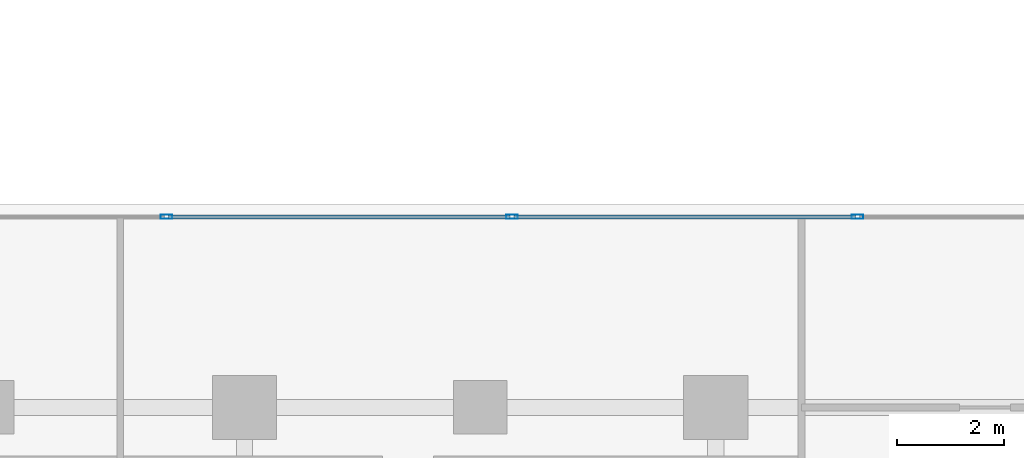
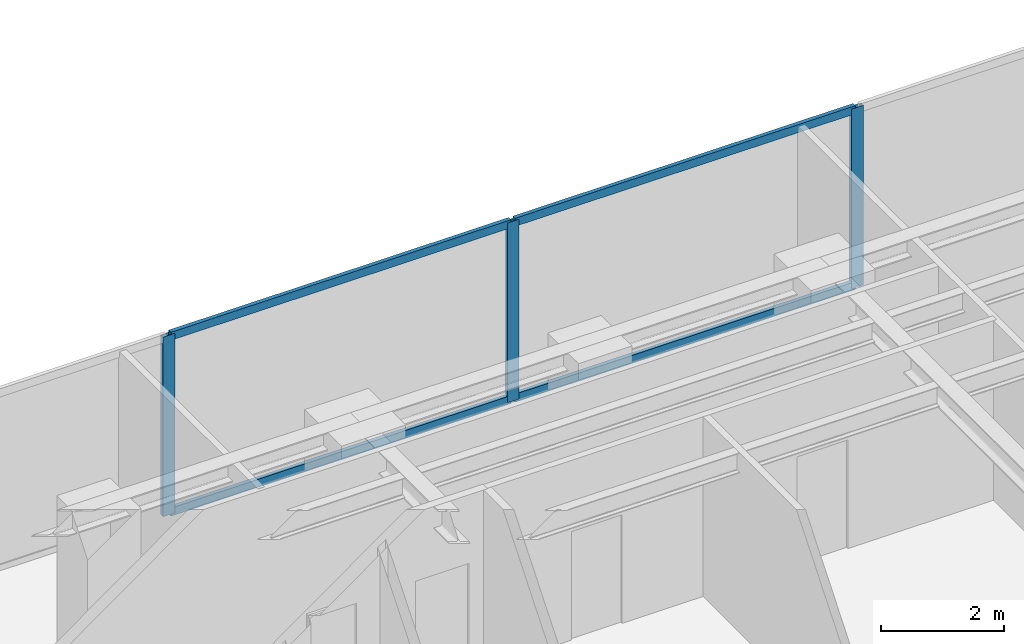
# One storey, part 14 of 28: 7 members, 1 element without a shape of its own.
"""IFC4 building model written with IfcOpenShell, lengths in metres."""

from ifc_helpers import new_model, si_unit, direction, frame, origin, origin_with_axes, origin_2d, place, context, subcontext, project, spatial, hollow_rectangle, extrude, source, transform, mapped, material, layer, layer_set, material_profile, profile_set, type_object, element, aggregate, save


model = new_model("IFC4")

# Units and contexts
model_context = context("Model", 3, precision=1e-05, world=origin(), true_north=direction((0.0, 1.0)))
body_context = subcontext(model_context, "Body", "Model", "MODEL_VIEW")
ifc_project = project(units=[si_unit("LENGTHUNIT", "METRE"), si_unit("AREAUNIT", "SQUARE_METRE"), si_unit("VOLUMEUNIT", "CUBIC_METRE"), si_unit("PLANEANGLEUNIT", "RADIAN"), si_unit("MASSUNIT", "GRAM", prefix="KILO")], contexts=[model_context])

# Site, building, storey
site_placement = place(None, origin())
site = spatial("IfcSite", under=ifc_project, at=site_placement, CompositionType="ELEMENT")
building_placement = place(site_placement, origin())
building = spatial("IfcBuilding", under=site, at=building_placement, Name="Kolvaren Waterfront Exchange", CompositionType="ELEMENT")
storey_placement = place(building_placement, frame((0.0, 0.0, 146.199951171875)))
storey = spatial("IfcBuildingStorey", under=building, at=storey_placement, Name="L37", CompositionType="ELEMENT", Elevation=146.199951171875)

# Curtain wall, members
ifc_material_1 = material(Name="Anodised bronze aluminium 6063-T6", Category="aluminium")
ifc_layer = layer(ifc_material_1, 0.219970703125, Name="Anodised bronze aluminium 6063-T6")
ifc_layer_set = layer_set([ifc_layer], Name="Anodised bronze aluminium 6063-T6")
curtain_wall_type = type_object("IfcCurtainWallType", Name="ARC-CW-SYS1", PredefinedType="USERDEFINED", material=ifc_layer_set)
curtain_wall_placement = place(storey_placement, origin())
curtain_wall = element("IfcCurtainWall", 1, at=curtain_wall_placement, inside=storey, type_object=curtain_wall_type, Name="L37 stick curtain wall CW1 (CW-L37-EN)", ObjectType="STICK CURTAIN WALL", PredefinedType="USERDEFINED")
ifc_material_2 = material(Name="Anodised aluminium 6063-T6", Category="aluminium")
ifc_material_profile_1 = material_profile(ifc_material_2, hollow_rectangle(XDim=0.080078125, YDim=0.219970703125, WallThickness=0.0048828125, at=origin_2d()), Name="ALU-MUL-220x80x5")
ifc_profile_set_1 = profile_set([ifc_material_profile_1], Name="Anodised aluminium 6063-T6")
member_type_1 = type_object("IfcMemberType", Name="ARC-CWM-220", PredefinedType="MULLION", material=ifc_profile_set_1)
shared_shape_1 = source(origin_with_axes(), body_context, "Body", "SweptSolid", [
    extrude(hollow_rectangle(XDim=0.080078125, YDim=0.219970703125, WallThickness=0.0048828125, at=origin_2d()), origin(), (0.0, 0.0, 1.0), 3.56005859375),
])
member_1_placement = place(storey_placement, frame((35.342529296875, 20.9599609375, 0.0), z_axis=(0.0, 0.0, 1.0), x_axis=(0.0, 1.0, 0.0)))
member_1 = element("IfcMember", 2, at=member_1_placement, type_object=member_type_1, Name="CW1 mullion 2", PredefinedType="MULLION", context=body_context, shape_type="MappedRepresentation", body=[
    mapped(shared_shape_1, transform((0.0, 0.0, 0.0), x_axis=(1.0, 0.0, 0.0), y_axis=(0.0, 1.0, 0.0), z_axis=(0.0, 0.0, 1.0), scale=1.0)),
])
member_2_placement = place(storey_placement, frame((41.794921875, 20.9599609375, 0.0), z_axis=(0.0, 0.0, 1.0), x_axis=(0.0, 1.0, 0.0)))
member_2 = element("IfcMember", 3, at=member_2_placement, type_object=member_type_1, Name="CW1 mullion 3", PredefinedType="MULLION", context=body_context, shape_type="MappedRepresentation", body=[
    mapped(shared_shape_1, transform((0.0, 0.0, 0.0), x_axis=(1.0, 0.0, 0.0), y_axis=(0.0, 1.0, 0.0), z_axis=(0.0, 0.0, 1.0), scale=1.0)),
])
member_3_placement = place(storey_placement, frame((48.24755859375, 20.9599609375, 0.0), z_axis=(0.0, 0.0, 1.0), x_axis=(0.0, 1.0, 0.0)))
member_3 = element("IfcMember", 4, at=member_3_placement, type_object=member_type_1, Name="CW1 mullion 4", PredefinedType="MULLION", context=body_context, shape_type="MappedRepresentation", body=[
    mapped(shared_shape_1, transform((0.0, 0.0, 0.0), x_axis=(1.0, 0.0, 0.0), y_axis=(0.0, 1.0, 0.0), z_axis=(0.0, 0.0, 1.0), scale=1.0)),
])
ifc_material_profile_2 = material_profile(ifc_material_2, hollow_rectangle(XDim=0.074951171875, YDim=0.159912109375, WallThickness=0.00439453125, at=origin_2d()), Name="ALU-TRN-160x75x4.5")
ifc_profile_set_2 = profile_set([ifc_material_profile_2], Name="Anodised aluminium 6063-T6")
member_type_2 = type_object("IfcMemberType", Name="ARC-CWT-160", PredefinedType="USERDEFINED", material=ifc_profile_set_2)
shared_shape_2 = source(origin_with_axes(), body_context, "Body", "SweptSolid", [
    extrude(hollow_rectangle(XDim=0.074951171875, YDim=0.159912109375, WallThickness=0.00439453125, at=origin_2d()), origin(), (0.0, 0.0, 1.0), 6.372314453125),
])
member_4_placement = place(storey_placement, frame((35.382568359375, 20.9599609375, 0.03759765625), z_axis=(1.0, 0.0, 0.0), x_axis=(0.0, 1.0, 0.0)))
member_4 = element("IfcMember", 5, at=member_4_placement, type_object=member_type_2, Name="CW1 transom 2.1", ObjectType="TRANSOM", PredefinedType="USERDEFINED", context=body_context, shape_type="MappedRepresentation", body=[
    mapped(shared_shape_2, transform((0.0, 0.0, 0.0), x_axis=(1.0, 0.0, 0.0), y_axis=(0.0, 1.0, 0.0), z_axis=(0.0, 0.0, 1.0), scale=1.0)),
])
member_5_placement = place(storey_placement, frame((35.382568359375, 20.9599609375, 3.5224609375), z_axis=(1.0, 0.0, 0.0), x_axis=(0.0, 1.0, 0.0)))
member_5 = element("IfcMember", 6, at=member_5_placement, type_object=member_type_2, Name="CW1 transom 2.2", ObjectType="TRANSOM", PredefinedType="USERDEFINED", context=body_context, shape_type="MappedRepresentation", body=[
    mapped(shared_shape_2, transform((0.0, 0.0, 0.0), x_axis=(1.0, 0.0, 0.0), y_axis=(0.0, 1.0, 0.0), z_axis=(0.0, 0.0, 1.0), scale=1.0)),
])
shared_shape_3 = source(origin_with_axes(), body_context, "Body", "SweptSolid", [
    extrude(hollow_rectangle(XDim=0.074951171875, YDim=0.159912109375, WallThickness=0.00439453125, at=origin_2d()), origin(), (0.0, 0.0, 1.0), 6.37255859375),
])
member_6_placement = place(storey_placement, frame((41.8349609375, 20.9599609375, 0.03759765625), z_axis=(1.0, 0.0, 0.0), x_axis=(0.0, 1.0, 0.0)))
member_6 = element("IfcMember", 7, at=member_6_placement, type_object=member_type_2, Name="CW1 transom 3.1", ObjectType="TRANSOM", PredefinedType="USERDEFINED", context=body_context, shape_type="MappedRepresentation", body=[
    mapped(shared_shape_3, transform((0.0, 0.0, 0.0), x_axis=(1.0, 0.0, 0.0), y_axis=(0.0, 1.0, 0.0), z_axis=(0.0, 0.0, 1.0), scale=1.0)),
])
member_7_placement = place(storey_placement, frame((41.8349609375, 20.9599609375, 3.5224609375), z_axis=(1.0, 0.0, 0.0), x_axis=(0.0, 1.0, 0.0)))
member_7 = element("IfcMember", 8, at=member_7_placement, type_object=member_type_2, Name="CW1 transom 3.2", ObjectType="TRANSOM", PredefinedType="USERDEFINED", context=body_context, shape_type="MappedRepresentation", body=[
    mapped(shared_shape_3, transform((0.0, 0.0, 0.0), x_axis=(1.0, 0.0, 0.0), y_axis=(0.0, 1.0, 0.0), z_axis=(0.0, 0.0, 1.0), scale=1.0)),
])
aggregate(curtain_wall, [member_1, member_2, member_3, member_4, member_5, member_6, member_7])

save(model, "model.ifc")
